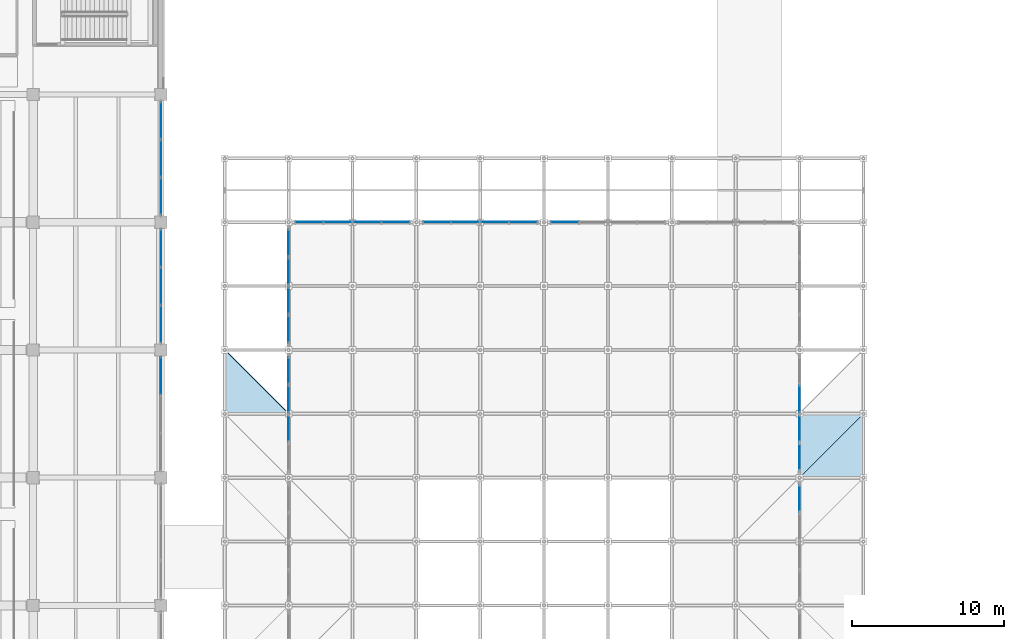
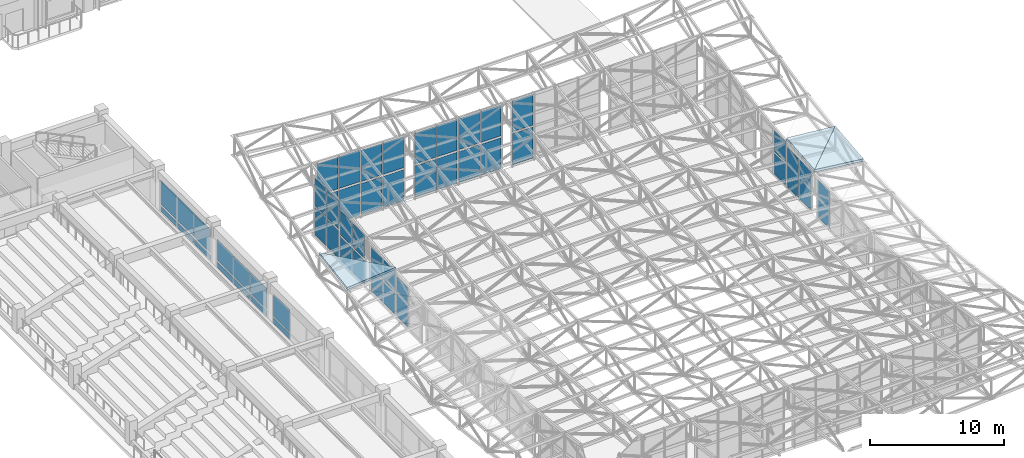
# One storey, part 64 of 132: 50 plates, 3 slabs, 15 elements without a shape of their own.
"""IFC4 building model written with IfcOpenShell, lengths in metres."""

from ifc_helpers import new_model, si_unit, direction, frame, origin, origin_2d, place, context, subcontext, project, spatial, polyline, rectangle, outline, extrude, material, layer, layer_set, type_object, element, aggregate, save


model = new_model("IFC4")

# Units and contexts
model_context = context("Model", 3, precision=1e-05, world=origin(), true_north=direction((0.0, 1.0)))
body_context = subcontext(model_context, "Body", "Model", "MODEL_VIEW")
ifc_project = project(units=[si_unit("LENGTHUNIT", "METRE"), si_unit("AREAUNIT", "SQUARE_METRE"), si_unit("VOLUMEUNIT", "CUBIC_METRE"), si_unit("PLANEANGLEUNIT", "RADIAN"), si_unit("MASSUNIT", "GRAM", prefix="KILO")], contexts=[model_context])

# Site, building, storey
site_placement = place(None, origin())
site = spatial("IfcSite", under=ifc_project, at=site_placement, CompositionType="ELEMENT")
building_placement = place(site_placement, origin())
building = spatial("IfcBuilding", under=site, at=building_placement, Name="Cumbredor Promenade Congress Hotel", CompositionType="ELEMENT")
storey_placement = place(building_placement, frame((0.0, 0.0, 7.56005859375)))
storey = spatial("IfcBuildingStorey", under=building, at=storey_placement, Name="L02", CompositionType="ELEMENT", Elevation=7.56005859375)

# Curtain wall, plates
ifc_material_1 = material(Name="Thermally broken anodized aluminium and low-E glass", Category="aluminium")
curtain_wall_type_1 = type_object("IfcCurtainWallType", Name="Stepped Pavilion Clerestory Curtain Wall CW-06", PredefinedType="NOTDEFINED", material=ifc_material_1)
curtain_wall_1_placement = place(storey_placement, origin())
curtain_wall_1 = element("IfcCurtainWall", 1, at=curtain_wall_1_placement, inside=storey, type_object=curtain_wall_type_1, Name="Thermal Spa and Hydrotherapy Pavilion N Glazed Clerestory 1", PredefinedType="NOTDEFINED")
ifc_material_2 = material(Name="Laminated low-E solar-control glass", Category="glass")
ifc_layer_1 = layer(ifc_material_2, 0.031982421875, Name="Laminated low-E solar-control glass", Category="glass")
ifc_layer_set_1 = layer_set([ifc_layer_1], Name="Laminated low-E solar-control glass")
plate_type_1 = type_object("IfcPlateType", Name="Clerestory Glazed Vision Panel PNL-07", PredefinedType="CURTAIN_PANEL", material=ifc_layer_set_1)
plate_1_placement = place(storey_placement, frame((76.969970703125, 50.39990234375, 0.169921875), z_axis=(0.0, 0.0, 1.0), x_axis=(1.0, 0.0, 0.0)))
plate_1 = element("IfcPlate", 2, at=plate_1_placement, type_object=plate_type_1, Name="Thermal Spa and Hydrotherapy Pavilion N Glazed Clerestory 1 Glazing Panel 1.1", PredefinedType="CURTAIN_PANEL", context=body_context, shape_type="SweptSolid", body=[
    extrude(rectangle(XDim=1.77490234375, YDim=0.031982421875, at=origin_2d()), origin(), (0.0, 0.0, 1.0), 2.8798828125),
])
plate_2_placement = place(storey_placement, frame((76.969970703125, 50.39990234375, 3.22998046875), z_axis=(0.0, 0.0, 1.0), x_axis=(1.0, 0.0, 0.0)))
plate_2 = element("IfcPlate", 3, at=plate_2_placement, type_object=plate_type_1, Name="Thermal Spa and Hydrotherapy Pavilion N Glazed Clerestory 1 Glazing Panel 1.2", PredefinedType="CURTAIN_PANEL", context=body_context, shape_type="SweptSolid", body=[
    extrude(rectangle(XDim=1.77490234375, YDim=0.031982421875, at=origin_2d()), origin(), (0.0, 0.0, 1.0), 2.8798828125),
])
plate_3_placement = place(storey_placement, frame((78.830078125, 50.39990234375, 0.169921875), z_axis=(0.0, 0.0, 1.0), x_axis=(1.0, 0.0, 0.0)))
plate_3 = element("IfcPlate", 4, at=plate_3_placement, type_object=plate_type_1, Name="Thermal Spa and Hydrotherapy Pavilion N Glazed Clerestory 1 Glazing Panel 2.1", PredefinedType="CURTAIN_PANEL", context=body_context, shape_type="SweptSolid", body=[
    extrude(rectangle(XDim=1.77490234375, YDim=0.031982421875, at=origin_2d()), origin(), (0.0, 0.0, 1.0), 2.8798828125),
])
plate_4_placement = place(storey_placement, frame((78.830078125, 50.39990234375, 3.22998046875), z_axis=(0.0, 0.0, 1.0), x_axis=(1.0, 0.0, 0.0)))
plate_4 = element("IfcPlate", 5, at=plate_4_placement, type_object=plate_type_1, Name="Thermal Spa and Hydrotherapy Pavilion N Glazed Clerestory 1 Glazing Panel 2.2", PredefinedType="CURTAIN_PANEL", context=body_context, shape_type="SweptSolid", body=[
    extrude(rectangle(XDim=1.77490234375, YDim=0.031982421875, at=origin_2d()), origin(), (0.0, 0.0, 1.0), 2.8798828125),
])
aggregate(curtain_wall_1, [plate_1, plate_2, plate_3, plate_4])

curtain_wall_2_placement = place(storey_placement, origin())
curtain_wall_2 = element("IfcCurtainWall", 6, at=curtain_wall_2_placement, inside=storey, type_object=curtain_wall_type_1, Name="Thermal Spa and Hydrotherapy Pavilion N Glazed Clerestory 2", PredefinedType="NOTDEFINED")
plate_5_placement = place(storey_placement, frame((80.77001953125, 50.39990234375, 0.169921875), z_axis=(0.0, 0.0, 1.0), x_axis=(1.0, 0.0, 0.0)))
plate_5 = element("IfcPlate", 7, at=plate_5_placement, type_object=plate_type_1, Name="Thermal Spa and Hydrotherapy Pavilion N Glazed Clerestory 2 Glazing Panel 1.1", PredefinedType="CURTAIN_PANEL", context=body_context, shape_type="SweptSolid", body=[
    extrude(rectangle(XDim=1.77490234375, YDim=0.031982421875, at=origin_2d()), origin(), (0.0, 0.0, 1.0), 2.830078125),
])
plate_6_placement = place(storey_placement, frame((80.77001953125, 50.39990234375, 3.1796875), z_axis=(0.0, 0.0, 1.0), x_axis=(1.0, 0.0, 0.0)))
plate_6 = element("IfcPlate", 8, at=plate_6_placement, type_object=plate_type_1, Name="Thermal Spa and Hydrotherapy Pavilion N Glazed Clerestory 2 Glazing Panel 1.2", PredefinedType="CURTAIN_PANEL", context=body_context, shape_type="SweptSolid", body=[
    extrude(rectangle(XDim=1.77490234375, YDim=0.031982421875, at=origin_2d()), origin(), (0.0, 0.0, 1.0), 2.840087890625),
])
plate_7_placement = place(storey_placement, frame((82.6298828125, 50.39990234375, 0.169921875), z_axis=(0.0, 0.0, 1.0), x_axis=(1.0, 0.0, 0.0)))
plate_7 = element("IfcPlate", 9, at=plate_7_placement, type_object=plate_type_1, Name="Thermal Spa and Hydrotherapy Pavilion N Glazed Clerestory 2 Glazing Panel 2.1", PredefinedType="CURTAIN_PANEL", context=body_context, shape_type="SweptSolid", body=[
    extrude(rectangle(XDim=1.77490234375, YDim=0.031982421875, at=origin_2d()), origin(), (0.0, 0.0, 1.0), 2.830078125),
])
plate_8_placement = place(storey_placement, frame((82.6298828125, 50.39990234375, 3.1796875), z_axis=(0.0, 0.0, 1.0), x_axis=(1.0, 0.0, 0.0)))
plate_8 = element("IfcPlate", 10, at=plate_8_placement, type_object=plate_type_1, Name="Thermal Spa and Hydrotherapy Pavilion N Glazed Clerestory 2 Glazing Panel 2.2", PredefinedType="CURTAIN_PANEL", context=body_context, shape_type="SweptSolid", body=[
    extrude(rectangle(XDim=1.77490234375, YDim=0.031982421875, at=origin_2d()), origin(), (0.0, 0.0, 1.0), 2.840087890625),
])
aggregate(curtain_wall_2, [plate_5, plate_6, plate_7, plate_8])

curtain_wall_3_placement = place(storey_placement, origin())
curtain_wall_3 = element("IfcCurtainWall", 11, at=curtain_wall_3_placement, inside=storey, type_object=curtain_wall_type_1, Name="Thermal Spa and Hydrotherapy Pavilion N Glazed Clerestory 3", PredefinedType="NOTDEFINED")
plate_9_placement = place(storey_placement, frame((85.3701171875, 50.39990234375, 0.169921875), z_axis=(0.0, 0.0, 1.0), x_axis=(1.0, 0.0, 0.0)))
plate_9 = element("IfcPlate", 12, at=plate_9_placement, type_object=plate_type_1, Name="Thermal Spa and Hydrotherapy Pavilion N Glazed Clerestory 3 Glazing Panel 1.1", PredefinedType="CURTAIN_PANEL", context=body_context, shape_type="SweptSolid", body=[
    extrude(rectangle(XDim=1.77490234375, YDim=0.031982421875, at=origin_2d()), origin(), (0.0, 0.0, 1.0), 2.81005859375),
])
plate_10_placement = place(storey_placement, frame((85.3701171875, 50.39990234375, 3.159912109375), z_axis=(0.0, 0.0, 1.0), x_axis=(1.0, 0.0, 0.0)))
plate_10 = element("IfcPlate", 13, at=plate_10_placement, type_object=plate_type_1, Name="Thermal Spa and Hydrotherapy Pavilion N Glazed Clerestory 3 Glazing Panel 1.2", PredefinedType="CURTAIN_PANEL", context=body_context, shape_type="SweptSolid", body=[
    extrude(rectangle(XDim=1.77490234375, YDim=0.031982421875, at=origin_2d()), origin(), (0.0, 0.0, 1.0), 2.81005859375),
])
plate_11_placement = place(storey_placement, frame((87.22998046875, 50.39990234375, 0.169921875), z_axis=(0.0, 0.0, 1.0), x_axis=(1.0, 0.0, 0.0)))
plate_11 = element("IfcPlate", 14, at=plate_11_placement, type_object=plate_type_1, Name="Thermal Spa and Hydrotherapy Pavilion N Glazed Clerestory 3 Glazing Panel 2.1", PredefinedType="CURTAIN_PANEL", context=body_context, shape_type="SweptSolid", body=[
    extrude(rectangle(XDim=1.77490234375, YDim=0.031982421875, at=origin_2d()), origin(), (0.0, 0.0, 1.0), 2.81005859375),
])
plate_12_placement = place(storey_placement, frame((87.22998046875, 50.39990234375, 3.159912109375), z_axis=(0.0, 0.0, 1.0), x_axis=(1.0, 0.0, 0.0)))
plate_12 = element("IfcPlate", 15, at=plate_12_placement, type_object=plate_type_1, Name="Thermal Spa and Hydrotherapy Pavilion N Glazed Clerestory 3 Glazing Panel 2.2", PredefinedType="CURTAIN_PANEL", context=body_context, shape_type="SweptSolid", body=[
    extrude(rectangle(XDim=1.77490234375, YDim=0.031982421875, at=origin_2d()), origin(), (0.0, 0.0, 1.0), 2.81005859375),
])
aggregate(curtain_wall_3, [plate_9, plate_10, plate_11, plate_12])

curtain_wall_4_placement = place(storey_placement, origin())
curtain_wall_4 = element("IfcCurtainWall", 16, at=curtain_wall_4_placement, inside=storey, type_object=curtain_wall_type_1, Name="Thermal Spa and Hydrotherapy Pavilion N Glazed Clerestory 4", PredefinedType="NOTDEFINED")
plate_13_placement = place(storey_placement, frame((89.169921875, 50.39990234375, 0.169921875), z_axis=(0.0, 0.0, 1.0), x_axis=(1.0, 0.0, 0.0)))
plate_13 = element("IfcPlate", 17, at=plate_13_placement, type_object=plate_type_1, Name="Thermal Spa and Hydrotherapy Pavilion N Glazed Clerestory 4 Glazing Panel 1.1", PredefinedType="CURTAIN_PANEL", context=body_context, shape_type="SweptSolid", body=[
    extrude(rectangle(XDim=1.77490234375, YDim=0.031982421875, at=origin_2d()), origin(), (0.0, 0.0, 1.0), 2.800048828125),
])
plate_14_placement = place(storey_placement, frame((89.169921875, 50.39990234375, 3.14990234375), z_axis=(0.0, 0.0, 1.0), x_axis=(1.0, 0.0, 0.0)))
plate_14 = element("IfcPlate", 18, at=plate_14_placement, type_object=plate_type_1, Name="Thermal Spa and Hydrotherapy Pavilion N Glazed Clerestory 4 Glazing Panel 1.2", PredefinedType="CURTAIN_PANEL", context=body_context, shape_type="SweptSolid", body=[
    extrude(rectangle(XDim=1.77490234375, YDim=0.031982421875, at=origin_2d()), origin(), (0.0, 0.0, 1.0), 2.800048828125),
])
plate_15_placement = place(storey_placement, frame((91.030029296875, 50.39990234375, 0.169921875), z_axis=(0.0, 0.0, 1.0), x_axis=(1.0, 0.0, 0.0)))
plate_15 = element("IfcPlate", 19, at=plate_15_placement, type_object=plate_type_1, Name="Thermal Spa and Hydrotherapy Pavilion N Glazed Clerestory 4 Glazing Panel 2.1", PredefinedType="CURTAIN_PANEL", context=body_context, shape_type="SweptSolid", body=[
    extrude(rectangle(XDim=1.77490234375, YDim=0.031982421875, at=origin_2d()), origin(), (0.0, 0.0, 1.0), 2.800048828125),
])
plate_16_placement = place(storey_placement, frame((91.030029296875, 50.39990234375, 3.14990234375), z_axis=(0.0, 0.0, 1.0), x_axis=(1.0, 0.0, 0.0)))
plate_16 = element("IfcPlate", 20, at=plate_16_placement, type_object=plate_type_1, Name="Thermal Spa and Hydrotherapy Pavilion N Glazed Clerestory 4 Glazing Panel 2.2", PredefinedType="CURTAIN_PANEL", context=body_context, shape_type="SweptSolid", body=[
    extrude(rectangle(XDim=1.77490234375, YDim=0.031982421875, at=origin_2d()), origin(), (0.0, 0.0, 1.0), 2.800048828125),
])
aggregate(curtain_wall_4, [plate_13, plate_14, plate_15, plate_16])

curtain_wall_5_placement = place(storey_placement, origin())
curtain_wall_5 = element("IfcCurtainWall", 21, at=curtain_wall_5_placement, inside=storey, type_object=curtain_wall_type_1, Name="Thermal Spa and Hydrotherapy Pavilion N Glazed Clerestory 5", PredefinedType="NOTDEFINED")
plate_17_placement = place(storey_placement, frame((93.77001953125, 50.39990234375, 0.169921875), z_axis=(0.0, 0.0, 1.0), x_axis=(1.0, 0.0, 0.0)))
plate_17 = element("IfcPlate", 22, at=plate_17_placement, type_object=plate_type_1, Name="Thermal Spa and Hydrotherapy Pavilion N Glazed Clerestory 5 Glazing Panel 1.1", PredefinedType="CURTAIN_PANEL", context=body_context, shape_type="SweptSolid", body=[
    extrude(rectangle(XDim=1.77490234375, YDim=0.031982421875, at=origin_2d()), origin(), (0.0, 0.0, 1.0), 2.800048828125),
])
plate_18_placement = place(storey_placement, frame((93.77001953125, 50.39990234375, 3.14990234375), z_axis=(0.0, 0.0, 1.0), x_axis=(1.0, 0.0, 0.0)))
plate_18 = element("IfcPlate", 23, at=plate_18_placement, type_object=plate_type_1, Name="Thermal Spa and Hydrotherapy Pavilion N Glazed Clerestory 5 Glazing Panel 1.2", PredefinedType="CURTAIN_PANEL", context=body_context, shape_type="SweptSolid", body=[
    extrude(rectangle(XDim=1.77490234375, YDim=0.031982421875, at=origin_2d()), origin(), (0.0, 0.0, 1.0), 2.800048828125),
])
aggregate(curtain_wall_5, [plate_17, plate_18])

# Curtain wall, plate
curtain_wall_6_placement = place(storey_placement, origin())
curtain_wall_6 = element("IfcCurtainWall", 24, at=curtain_wall_6_placement, inside=storey, type_object=curtain_wall_type_1, Name="Thermal Spa and Hydrotherapy Pavilion W Glazed Clerestory 7", PredefinedType="NOTDEFINED")
plate_19_placement = place(storey_placement, frame((75.60009765625, 36.830078125, 0.169921875), z_axis=(0.0, 0.0, 1.0), x_axis=(0.0, 1.0, 0.0)))
plate_19 = element("IfcPlate", 25, at=plate_19_placement, type_object=plate_type_1, Name="Thermal Spa and Hydrotherapy Pavilion W Glazed Clerestory 7 Glazing Panel 2.1", PredefinedType="CURTAIN_PANEL", context=body_context, shape_type="SweptSolid", body=[
    extrude(rectangle(XDim=1.77490234375, YDim=0.031982421875, at=origin_2d()), origin(), (0.0, 0.0, 1.0), 3.590087890625),
])
aggregate(curtain_wall_6, [plate_19])

# Curtain wall, plates
curtain_wall_7_placement = place(storey_placement, origin())
curtain_wall_7 = element("IfcCurtainWall", 26, at=curtain_wall_7_placement, inside=storey, type_object=curtain_wall_type_1, Name="Thermal Spa and Hydrotherapy Pavilion W Glazed Clerestory 8", PredefinedType="NOTDEFINED")
plate_20_placement = place(storey_placement, frame((75.60009765625, 38.77001953125, 0.169921875), z_axis=(0.0, 0.0, 1.0), x_axis=(0.0, 1.0, 0.0)))
plate_20 = element("IfcPlate", 27, at=plate_20_placement, type_object=plate_type_1, Name="Thermal Spa and Hydrotherapy Pavilion W Glazed Clerestory 8 Glazing Panel 1.1", PredefinedType="CURTAIN_PANEL", context=body_context, shape_type="SweptSolid", body=[
    extrude(rectangle(XDim=1.77490234375, YDim=0.031982421875, at=origin_2d()), origin(), (0.0, 0.0, 1.0), 1.8798828125),
])
plate_21_placement = place(storey_placement, frame((75.60009765625, 38.77001953125, 2.22998046875), z_axis=(0.0, 0.0, 1.0), x_axis=(0.0, 1.0, 0.0)))
plate_21 = element("IfcPlate", 28, at=plate_21_placement, type_object=plate_type_1, Name="Thermal Spa and Hydrotherapy Pavilion W Glazed Clerestory 8 Glazing Panel 1.2", PredefinedType="CURTAIN_PANEL", context=body_context, shape_type="SweptSolid", body=[
    extrude(rectangle(XDim=1.77490234375, YDim=0.031982421875, at=origin_2d()), origin(), (0.0, 0.0, 1.0), 1.8798828125),
])
plate_22_placement = place(storey_placement, frame((75.60009765625, 40.6298828125, 0.169921875), z_axis=(0.0, 0.0, 1.0), x_axis=(0.0, 1.0, 0.0)))
plate_22 = element("IfcPlate", 29, at=plate_22_placement, type_object=plate_type_1, Name="Thermal Spa and Hydrotherapy Pavilion W Glazed Clerestory 8 Glazing Panel 2.1", PredefinedType="CURTAIN_PANEL", context=body_context, shape_type="SweptSolid", body=[
    extrude(rectangle(XDim=1.77490234375, YDim=0.031982421875, at=origin_2d()), origin(), (0.0, 0.0, 1.0), 1.8798828125),
])
plate_23_placement = place(storey_placement, frame((75.60009765625, 40.6298828125, 2.22998046875), z_axis=(0.0, 0.0, 1.0), x_axis=(0.0, 1.0, 0.0)))
plate_23 = element("IfcPlate", 30, at=plate_23_placement, type_object=plate_type_1, Name="Thermal Spa and Hydrotherapy Pavilion W Glazed Clerestory 8 Glazing Panel 2.2", PredefinedType="CURTAIN_PANEL", context=body_context, shape_type="SweptSolid", body=[
    extrude(rectangle(XDim=1.77490234375, YDim=0.031982421875, at=origin_2d()), origin(), (0.0, 0.0, 1.0), 1.8798828125),
])
aggregate(curtain_wall_7, [plate_20, plate_21, plate_22, plate_23])

curtain_wall_8_placement = place(storey_placement, origin())
curtain_wall_8 = element("IfcCurtainWall", 31, at=curtain_wall_8_placement, inside=storey, type_object=curtain_wall_type_1, Name="Thermal Spa and Hydrotherapy Pavilion W Glazed Clerestory 9", PredefinedType="NOTDEFINED")
plate_24_placement = place(storey_placement, frame((75.60009765625, 43.3701171875, 0.169921875), z_axis=(0.0, 0.0, 1.0), x_axis=(0.0, 1.0, 0.0)))
plate_24 = element("IfcPlate", 32, at=plate_24_placement, type_object=plate_type_1, Name="Thermal Spa and Hydrotherapy Pavilion W Glazed Clerestory 9 Glazing Panel 1.1", PredefinedType="CURTAIN_PANEL", context=body_context, shape_type="SweptSolid", body=[
    extrude(rectangle(XDim=1.77490234375, YDim=0.031982421875, at=origin_2d()), origin(), (0.0, 0.0, 1.0), 2.139892578125),
])
plate_25_placement = place(storey_placement, frame((75.60009765625, 43.3701171875, 2.489990234375), z_axis=(0.0, 0.0, 1.0), x_axis=(0.0, 1.0, 0.0)))
plate_25 = element("IfcPlate", 33, at=plate_25_placement, type_object=plate_type_1, Name="Thermal Spa and Hydrotherapy Pavilion W Glazed Clerestory 9 Glazing Panel 1.2", PredefinedType="CURTAIN_PANEL", context=body_context, shape_type="SweptSolid", body=[
    extrude(rectangle(XDim=1.77490234375, YDim=0.031982421875, at=origin_2d()), origin(), (0.0, 0.0, 1.0), 2.14990234375),
])
plate_26_placement = place(storey_placement, frame((75.60009765625, 45.22998046875, 0.169921875), z_axis=(0.0, 0.0, 1.0), x_axis=(0.0, 1.0, 0.0)))
plate_26 = element("IfcPlate", 34, at=plate_26_placement, type_object=plate_type_1, Name="Thermal Spa and Hydrotherapy Pavilion W Glazed Clerestory 9 Glazing Panel 2.1", PredefinedType="CURTAIN_PANEL", context=body_context, shape_type="SweptSolid", body=[
    extrude(rectangle(XDim=1.77490234375, YDim=0.031982421875, at=origin_2d()), origin(), (0.0, 0.0, 1.0), 2.139892578125),
])
plate_27_placement = place(storey_placement, frame((75.60009765625, 45.22998046875, 2.489990234375), z_axis=(0.0, 0.0, 1.0), x_axis=(0.0, 1.0, 0.0)))
plate_27 = element("IfcPlate", 35, at=plate_27_placement, type_object=plate_type_1, Name="Thermal Spa and Hydrotherapy Pavilion W Glazed Clerestory 9 Glazing Panel 2.2", PredefinedType="CURTAIN_PANEL", context=body_context, shape_type="SweptSolid", body=[
    extrude(rectangle(XDim=1.77490234375, YDim=0.031982421875, at=origin_2d()), origin(), (0.0, 0.0, 1.0), 2.14990234375),
])
aggregate(curtain_wall_8, [plate_24, plate_25, plate_26, plate_27])

curtain_wall_9_placement = place(storey_placement, origin())
curtain_wall_9 = element("IfcCurtainWall", 36, at=curtain_wall_9_placement, inside=storey, type_object=curtain_wall_type_1, Name="Thermal Spa and Hydrotherapy Pavilion W Glazed Clerestory 10", PredefinedType="NOTDEFINED")
plate_28_placement = place(storey_placement, frame((75.60009765625, 47.169921875, 0.169921875), z_axis=(0.0, 0.0, 1.0), x_axis=(0.0, 1.0, 0.0)))
plate_28 = element("IfcPlate", 37, at=plate_28_placement, type_object=plate_type_1, Name="Thermal Spa and Hydrotherapy Pavilion W Glazed Clerestory 10 Glazing Panel 1.1", PredefinedType="CURTAIN_PANEL", context=body_context, shape_type="SweptSolid", body=[
    extrude(rectangle(XDim=1.77490234375, YDim=0.031982421875, at=origin_2d()), origin(), (0.0, 0.0, 1.0), 2.489990234375),
])
plate_29_placement = place(storey_placement, frame((75.60009765625, 47.169921875, 2.83984375), z_axis=(0.0, 0.0, 1.0), x_axis=(0.0, 1.0, 0.0)))
plate_29 = element("IfcPlate", 38, at=plate_29_placement, type_object=plate_type_1, Name="Thermal Spa and Hydrotherapy Pavilion W Glazed Clerestory 10 Glazing Panel 1.2", PredefinedType="CURTAIN_PANEL", context=body_context, shape_type="SweptSolid", body=[
    extrude(rectangle(XDim=1.77490234375, YDim=0.031982421875, at=origin_2d()), origin(), (0.0, 0.0, 1.0), 2.5),
])
plate_30_placement = place(storey_placement, frame((75.60009765625, 49.030029296875, 0.169921875), z_axis=(0.0, 0.0, 1.0), x_axis=(0.0, 1.0, 0.0)))
plate_30 = element("IfcPlate", 39, at=plate_30_placement, type_object=plate_type_1, Name="Thermal Spa and Hydrotherapy Pavilion W Glazed Clerestory 10 Glazing Panel 2.1", PredefinedType="CURTAIN_PANEL", context=body_context, shape_type="SweptSolid", body=[
    extrude(rectangle(XDim=1.77490234375, YDim=0.031982421875, at=origin_2d()), origin(), (0.0, 0.0, 1.0), 2.489990234375),
])
plate_31_placement = place(storey_placement, frame((75.60009765625, 49.030029296875, 2.83984375), z_axis=(0.0, 0.0, 1.0), x_axis=(0.0, 1.0, 0.0)))
plate_31 = element("IfcPlate", 40, at=plate_31_placement, type_object=plate_type_1, Name="Thermal Spa and Hydrotherapy Pavilion W Glazed Clerestory 10 Glazing Panel 2.2", PredefinedType="CURTAIN_PANEL", context=body_context, shape_type="SweptSolid", body=[
    extrude(rectangle(XDim=1.77490234375, YDim=0.031982421875, at=origin_2d()), origin(), (0.0, 0.0, 1.0), 2.5),
])
aggregate(curtain_wall_9, [plate_28, plate_29, plate_30, plate_31])

# Curtain wall, plate
curtain_wall_10_placement = place(storey_placement, origin())
curtain_wall_10 = element("IfcCurtainWall", 41, at=curtain_wall_10_placement, inside=storey, type_object=curtain_wall_type_1, Name="Thermal Spa and Hydrotherapy Pavilion E Glazed Clerestory 6", PredefinedType="NOTDEFINED")
plate_32_placement = place(storey_placement, frame((109.199951171875, 32.22998046875, 0.169921875), z_axis=(0.0, 0.0, 1.0), x_axis=(0.0, 1.0, 0.0)))
plate_32 = element("IfcPlate", 42, at=plate_32_placement, type_object=plate_type_1, Name="Thermal Spa and Hydrotherapy Pavilion E Glazed Clerestory 6 Glazing Panel 2.1", PredefinedType="CURTAIN_PANEL", context=body_context, shape_type="SweptSolid", body=[
    extrude(rectangle(XDim=1.77490234375, YDim=0.031982421875, at=origin_2d()), origin(), (0.0, 0.0, 1.0), 3.409912109375),
])
aggregate(curtain_wall_10, [plate_32])

# Curtain wall, plates
curtain_wall_11_placement = place(storey_placement, origin())
curtain_wall_11 = element("IfcCurtainWall", 43, at=curtain_wall_11_placement, inside=storey, type_object=curtain_wall_type_1, Name="Thermal Spa and Hydrotherapy Pavilion E Glazed Clerestory 7", PredefinedType="NOTDEFINED")
plate_33_placement = place(storey_placement, frame((109.199951171875, 34.969970703125, 0.169921875), z_axis=(0.0, 0.0, 1.0), x_axis=(0.0, 1.0, 0.0)))
plate_33 = element("IfcPlate", 44, at=plate_33_placement, type_object=plate_type_1, Name="Thermal Spa and Hydrotherapy Pavilion E Glazed Clerestory 7 Glazing Panel 1.1", PredefinedType="CURTAIN_PANEL", context=body_context, shape_type="SweptSolid", body=[
    extrude(rectangle(XDim=1.77490234375, YDim=0.031982421875, at=origin_2d()), origin(), (0.0, 0.0, 1.0), 3.590087890625),
])
plate_34_placement = place(storey_placement, frame((109.199951171875, 36.830078125, 0.169921875), z_axis=(0.0, 0.0, 1.0), x_axis=(0.0, 1.0, 0.0)))
plate_34 = element("IfcPlate", 45, at=plate_34_placement, type_object=plate_type_1, Name="Thermal Spa and Hydrotherapy Pavilion E Glazed Clerestory 7 Glazing Panel 2.1", PredefinedType="CURTAIN_PANEL", context=body_context, shape_type="SweptSolid", body=[
    extrude(rectangle(XDim=1.77490234375, YDim=0.031982421875, at=origin_2d()), origin(), (0.0, 0.0, 1.0), 3.590087890625),
])
aggregate(curtain_wall_11, [plate_33, plate_34])

curtain_wall_12_placement = place(storey_placement, origin())
curtain_wall_12 = element("IfcCurtainWall", 46, at=curtain_wall_12_placement, inside=storey, type_object=curtain_wall_type_1, Name="Thermal Spa and Hydrotherapy Pavilion E Glazed Clerestory 8", PredefinedType="NOTDEFINED")
plate_35_placement = place(storey_placement, frame((109.199951171875, 38.77001953125, 0.169921875), z_axis=(0.0, 0.0, 1.0), x_axis=(0.0, 1.0, 0.0)))
plate_35 = element("IfcPlate", 47, at=plate_35_placement, type_object=plate_type_1, Name="Thermal Spa and Hydrotherapy Pavilion E Glazed Clerestory 8 Glazing Panel 1.1", PredefinedType="CURTAIN_PANEL", context=body_context, shape_type="SweptSolid", body=[
    extrude(rectangle(XDim=1.77490234375, YDim=0.031982421875, at=origin_2d()), origin(), (0.0, 0.0, 1.0), 1.8798828125),
])
plate_36_placement = place(storey_placement, frame((109.199951171875, 38.77001953125, 2.22998046875), z_axis=(0.0, 0.0, 1.0), x_axis=(0.0, 1.0, 0.0)))
plate_36 = element("IfcPlate", 48, at=plate_36_placement, type_object=plate_type_1, Name="Thermal Spa and Hydrotherapy Pavilion E Glazed Clerestory 8 Glazing Panel 1.2", PredefinedType="CURTAIN_PANEL", context=body_context, shape_type="SweptSolid", body=[
    extrude(rectangle(XDim=1.77490234375, YDim=0.031982421875, at=origin_2d()), origin(), (0.0, 0.0, 1.0), 1.8798828125),
])
aggregate(curtain_wall_12, [plate_35, plate_36])

# Curtain wall, plate
curtain_wall_type_2 = type_object("IfcCurtainWallType", Name="Unitised Bronze Curtain Wall CW-01", PredefinedType="NOTDEFINED", material=ifc_material_1)
curtain_wall_13_placement = place(storey_placement, origin())
curtain_wall_13 = element("IfcCurtainWall", 49, at=curtain_wall_13_placement, inside=storey, type_object=curtain_wall_type_2, Name="L02 Plenary Congress Hall East Curtain Wall 4", PredefinedType="NOTDEFINED")
ifc_layer_2 = layer(ifc_material_2, 0.028076171875, Name="Laminated low-E solar-control glass", Category="glass")
ifc_layer_set_2 = layer_set([ifc_layer_2], Name="Laminated low-E solar-control glass")
plate_type_2 = type_object("IfcPlateType", Name="Glazed Vision Panel PNL-01", PredefinedType="CURTAIN_PANEL", material=ifc_layer_set_2)
plate_37_placement = place(storey_placement, frame((67.199951171875, 40.296630859375, 0.784912109375), z_axis=(0.0, 0.0, 1.0), x_axis=(0.0, 1.0, 0.0)))
plate_37 = element("IfcPlate", 50, at=plate_37_placement, type_object=plate_type_2, Name="L02 Plenary Congress Hall East Curtain Wall 4 Glazing Panel 3.2", PredefinedType="CURTAIN_PANEL", context=body_context, shape_type="SweptSolid", body=[
    extrude(rectangle(XDim=2.431640625, YDim=0.028076171875, at=origin_2d()), origin(), (0.0, 0.0, 1.0), 2.02001953125),
])

# Curtain wall, plates
curtain_wall_14_placement = place(storey_placement, origin())
curtain_wall_14 = element("IfcCurtainWall", 51, at=curtain_wall_14_placement, inside=storey, type_object=curtain_wall_type_2, Name="L02 Plenary Congress Hall East Curtain Wall 5", PredefinedType="NOTDEFINED")
ifc_layer_3 = layer(ifc_material_2, 0.031982421875, Name="Laminated low-E solar-control glass", Category="glass")
ifc_layer_set_3 = layer_set([ifc_layer_3], Name="Laminated low-E solar-control glass")
plate_type_3 = type_object("IfcPlateType", Name="Glazed Vision Panel PNL-02", PredefinedType="CURTAIN_PANEL", material=ifc_layer_set_3)
plate_38_placement = place(storey_placement, frame((67.199951171875, 43.703369140625, 0.794921875), z_axis=(0.0, 0.0, 1.0), x_axis=(0.0, 1.0, 0.0)))
plate_38 = element("IfcPlate", 52, at=plate_38_placement, type_object=plate_type_3, Name="L02 Plenary Congress Hall East Curtain Wall 5 Glazing Panel 1.2", PredefinedType="CURTAIN_PANEL", context=body_context, shape_type="SweptSolid", body=[
    extrude(rectangle(XDim=2.421630859375, YDim=0.031982421875, at=origin_2d()), origin(), (0.0, 0.0, 1.0), 1.889892578125),
])
plate_39_placement = place(storey_placement, frame((67.199951171875, 46.199951171875, 0.794921875), z_axis=(0.0, 0.0, 1.0), x_axis=(0.0, 1.0, 0.0)))
plate_39 = element("IfcPlate", 53, at=plate_39_placement, type_object=plate_type_3, Name="L02 Plenary Congress Hall East Curtain Wall 5 Glazing Panel 2.2", PredefinedType="CURTAIN_PANEL", context=body_context, shape_type="SweptSolid", body=[
    extrude(rectangle(XDim=2.421630859375, YDim=0.031982421875, at=origin_2d()), origin(), (0.0, 0.0, 1.0), 1.889892578125),
])
plate_40_placement = place(storey_placement, frame((67.199951171875, 48.696533203125, 0.794921875), z_axis=(0.0, 0.0, 1.0), x_axis=(0.0, 1.0, 0.0)))
plate_40 = element("IfcPlate", 54, at=plate_40_placement, type_object=plate_type_3, Name="L02 Plenary Congress Hall East Curtain Wall 5 Glazing Panel 3.2", PredefinedType="CURTAIN_PANEL", context=body_context, shape_type="SweptSolid", body=[
    extrude(rectangle(XDim=2.421630859375, YDim=0.031982421875, at=origin_2d()), origin(), (0.0, 0.0, 1.0), 1.889892578125),
])

curtain_wall_15_placement = place(storey_placement, origin())
curtain_wall_15 = element("IfcCurtainWall", 55, at=curtain_wall_15_placement, inside=storey, type_object=curtain_wall_type_2, Name="L02 Plenary Congress Hall East Curtain Wall 6", PredefinedType="NOTDEFINED")
ifc_layer_4 = layer(ifc_material_2, 0.028076171875, Name="Laminated low-E solar-control glass", Category="glass")
ifc_layer_set_4 = layer_set([ifc_layer_4], Name="Laminated low-E solar-control glass")
plate_type_4 = type_object("IfcPlateType", Name="Glazed Vision Panel PNL-03", PredefinedType="CURTAIN_PANEL", material=ifc_layer_set_4)
plate_41_placement = place(storey_placement, frame((67.199951171875, 52.103515625, 0.81005859375), z_axis=(0.0, 0.0, 1.0), x_axis=(0.0, 1.0, 0.0)))
plate_41 = element("IfcPlate", 56, at=plate_41_placement, type_object=plate_type_4, Name="L02 Plenary Congress Hall East Curtain Wall 6 Glazing Panel 1.2", PredefinedType="CURTAIN_PANEL", context=body_context, shape_type="SweptSolid", body=[
    extrude(rectangle(XDim=2.416748046875, YDim=0.028076171875, at=origin_2d()), origin(), (0.0, 0.0, 1.0), 2.14990234375),
])
plate_42_placement = place(storey_placement, frame((67.199951171875, 54.60009765625, 0.81005859375), z_axis=(0.0, 0.0, 1.0), x_axis=(0.0, 1.0, 0.0)))
plate_42 = element("IfcPlate", 57, at=plate_42_placement, type_object=plate_type_4, Name="L02 Plenary Congress Hall East Curtain Wall 6 Glazing Panel 2.2", PredefinedType="CURTAIN_PANEL", context=body_context, shape_type="SweptSolid", body=[
    extrude(rectangle(XDim=2.41650390625, YDim=0.028076171875, at=origin_2d()), origin(), (0.0, 0.0, 1.0), 2.14990234375),
])
plate_43_placement = place(storey_placement, frame((67.199951171875, 57.0966796875, 0.81005859375), z_axis=(0.0, 0.0, 1.0), x_axis=(0.0, 1.0, 0.0)))
plate_43 = element("IfcPlate", 58, at=plate_43_placement, type_object=plate_type_4, Name="L02 Plenary Congress Hall East Curtain Wall 6 Glazing Panel 3.2", PredefinedType="CURTAIN_PANEL", context=body_context, shape_type="SweptSolid", body=[
    extrude(rectangle(XDim=2.416748046875, YDim=0.028076171875, at=origin_2d()), origin(), (0.0, 0.0, 1.0), 2.14990234375),
])

# Plate
ifc_material_3 = material(Name="Thermally broken anodized aluminium", Category="aluminium")
ifc_layer_5 = layer(ifc_material_3, 0.0400390625, Name="Thermally broken anodized aluminium", Category="aluminium")
ifc_layer_set_5 = layer_set([ifc_layer_5], Name="Thermally broken anodized aluminium")
plate_type_5 = type_object("IfcPlateType", Name="Insulated Spandrel Panel PNL-05", PredefinedType="CURTAIN_PANEL", material=ifc_layer_set_5)
plate_44_placement = place(storey_placement, frame((67.199951171875, 43.703369140625, 0.14501953125), z_axis=(0.0, 0.0, 1.0), x_axis=(0.0, 1.0, 0.0)))
plate_44 = element("IfcPlate", 59, at=plate_44_placement, type_object=plate_type_5, Name="L02 Plenary Congress Hall East Curtain Wall 5 Spandrel Panel 1.1", PredefinedType="CURTAIN_PANEL", context=body_context, shape_type="SweptSolid", body=[
    extrude(rectangle(XDim=2.421630859375, YDim=0.0400390625, at=origin_2d()), origin(), (0.0, 0.0, 1.0), 0.5),
])

plate_45_placement = place(storey_placement, frame((67.199951171875, 46.199951171875, 0.14501953125), z_axis=(0.0, 0.0, 1.0), x_axis=(0.0, 1.0, 0.0)))
plate_45 = element("IfcPlate", 60, at=plate_45_placement, type_object=plate_type_5, Name="L02 Plenary Congress Hall East Curtain Wall 5 Spandrel Panel 2.1", PredefinedType="CURTAIN_PANEL", context=body_context, shape_type="SweptSolid", body=[
    extrude(rectangle(XDim=2.421630859375, YDim=0.0400390625, at=origin_2d()), origin(), (0.0, 0.0, 1.0), 0.5),
])

plate_46_placement = place(storey_placement, frame((67.199951171875, 48.696533203125, 0.14501953125), z_axis=(0.0, 0.0, 1.0), x_axis=(0.0, 1.0, 0.0)))
plate_46 = element("IfcPlate", 61, at=plate_46_placement, type_object=plate_type_5, Name="L02 Plenary Congress Hall East Curtain Wall 5 Spandrel Panel 3.1", PredefinedType="CURTAIN_PANEL", context=body_context, shape_type="SweptSolid", body=[
    extrude(rectangle(XDim=2.421630859375, YDim=0.0400390625, at=origin_2d()), origin(), (0.0, 0.0, 1.0), 0.5),
])

aggregate(curtain_wall_14, [plate_44, plate_38, plate_45, plate_39, plate_46, plate_40])

ifc_layer_6 = layer(ifc_material_3, 0.0400390625, Name="Thermally broken anodized aluminium", Category="aluminium")
ifc_layer_set_6 = layer_set([ifc_layer_6], Name="Thermally broken anodized aluminium")
plate_type_6 = type_object("IfcPlateType", Name="Insulated Spandrel Panel PNL-06", PredefinedType="CURTAIN_PANEL", material=ifc_layer_set_6)
plate_47_placement = place(storey_placement, frame((67.199951171875, 40.296630859375, 0.125), z_axis=(0.0, 0.0, 1.0), x_axis=(0.0, 1.0, 0.0)))
plate_47 = element("IfcPlate", 62, at=plate_47_placement, type_object=plate_type_6, Name="L02 Plenary Congress Hall East Curtain Wall 4 Spandrel Panel 3.1", PredefinedType="CURTAIN_PANEL", context=body_context, shape_type="SweptSolid", body=[
    extrude(rectangle(XDim=2.431640625, YDim=0.0400390625, at=origin_2d()), origin(), (0.0, 0.0, 1.0), 0.530029296875),
])

aggregate(curtain_wall_13, [plate_47, plate_37])

plate_48_placement = place(storey_placement, frame((67.199951171875, 52.103515625, 0.18017578125), z_axis=(0.0, 0.0, 1.0), x_axis=(0.0, 1.0, 0.0)))
plate_48 = element("IfcPlate", 63, at=plate_48_placement, type_object=plate_type_6, Name="L02 Plenary Congress Hall East Curtain Wall 6 Spandrel Panel 1.1", PredefinedType="CURTAIN_PANEL", context=body_context, shape_type="SweptSolid", body=[
    extrude(rectangle(XDim=2.416748046875, YDim=0.0400390625, at=origin_2d()), origin(), (0.0, 0.0, 1.0), 0.449951171875),
])

plate_49_placement = place(storey_placement, frame((67.199951171875, 54.60009765625, 0.18017578125), z_axis=(0.0, 0.0, 1.0), x_axis=(0.0, 1.0, 0.0)))
plate_49 = element("IfcPlate", 64, at=plate_49_placement, type_object=plate_type_6, Name="L02 Plenary Congress Hall East Curtain Wall 6 Spandrel Panel 2.1", PredefinedType="CURTAIN_PANEL", context=body_context, shape_type="SweptSolid", body=[
    extrude(rectangle(XDim=2.41650390625, YDim=0.0400390625, at=origin_2d()), origin(), (0.0, 0.0, 1.0), 0.449951171875),
])

plate_50_placement = place(storey_placement, frame((67.199951171875, 57.0966796875, 0.18017578125), z_axis=(0.0, 0.0, 1.0), x_axis=(0.0, 1.0, 0.0)))
plate_50 = element("IfcPlate", 65, at=plate_50_placement, type_object=plate_type_6, Name="L02 Plenary Congress Hall East Curtain Wall 6 Spandrel Panel 3.1", PredefinedType="CURTAIN_PANEL", context=body_context, shape_type="SweptSolid", body=[
    extrude(rectangle(XDim=2.416748046875, YDim=0.0400390625, at=origin_2d()), origin(), (0.0, 0.0, 1.0), 0.449951171875),
])

aggregate(curtain_wall_15, [plate_48, plate_41, plate_49, plate_42, plate_50, plate_43])

# Slabs
ifc_material_4 = material(Name="Concrete C40/50", Category="concrete")
ifc_layer_7 = layer(ifc_material_4, 0.2451171875, Name="Concrete C40/50", Category="concrete")
ifc_layer_set_7 = layer_set([ifc_layer_7], Name="Concrete C40/50")
slab_type = type_object("IfcSlabType", Name="Spa Catenary Roof Deck 245mm", PredefinedType="ROOF", material=ifc_layer_set_7)
slab_1_placement = place(storey_placement, frame((71.39990234375, 37.800048828125, 4.13525390625), z_axis=(-0.092767491882, -0.156279153389, 0.983346845557), x_axis=(0.995579604811, 0.0, 0.093921512358)))
element("IfcSlab", 66, at=slab_1_placement, inside=storey, type_object=slab_type, Name="Thermal Spa and Hydrotherapy Pavilion Sweeping Roof Deck Facet 1.10.1", PredefinedType="ROOF", context=body_context, shape_type="SweptSolid", body=[
    extrude(outline(polyline([(0.0, 0.0), (4.218844271418954, -6.938893903907228e-18), (0.0626907750944975, 4.252198241970257), (0.0, 0.0)])), origin(), (0.0, 0.0, -1.0), 0.2451171875),
])
slab_2_placement = place(storey_placement, frame((109.199951171875, 33.60009765625, 4.178466796875), z_axis=(0.1148464959, -0.104682581013, 0.987852134488), x_axis=(0.993309690955, 0.0, -0.115480984823)))
element("IfcSlab", 67, at=slab_2_placement, inside=storey, type_object=slab_type, Name="Thermal Spa and Hydrotherapy Pavilion Sweeping Roof Deck Facet 10.9.1", PredefinedType="ROOF", context=body_context, shape_type="SweptSolid", body=[
    extrude(outline(polyline([(0.0, 0.0), (4.228239400180144, -6.938893903907228e-18), (4.176842467725986, 4.223154513629029), (0.0, 0.0)])), origin(), (0.0, 0.0, -1.0), 0.2451171875),
])
slab_3_placement = place(storey_placement, frame((109.199951171875, 33.60009765625, 4.178466796875), z_axis=(0.093599759322, -0.083392022169, 0.992111312149), x_axis=(0.707088068079, 0.707088068079, -0.007275160614)))
element("IfcSlab", 68, at=slab_3_placement, inside=storey, type_object=slab_type, Name="Thermal Spa and Hydrotherapy Pavilion Sweeping Roof Deck Facet 10.9.2", PredefinedType="ROOF", context=body_context, shape_type="SweptSolid", body=[
    extrude(outline(polyline([(0.0, 0.0), (5.93978510101035, 4.2500725161431774e-16), (2.967167029518156, 2.9933489556865513), (0.0, 0.0)])), origin(), (0.0, 0.0, -1.0), 0.2451171875),
])

save(model, "model.ifc")
